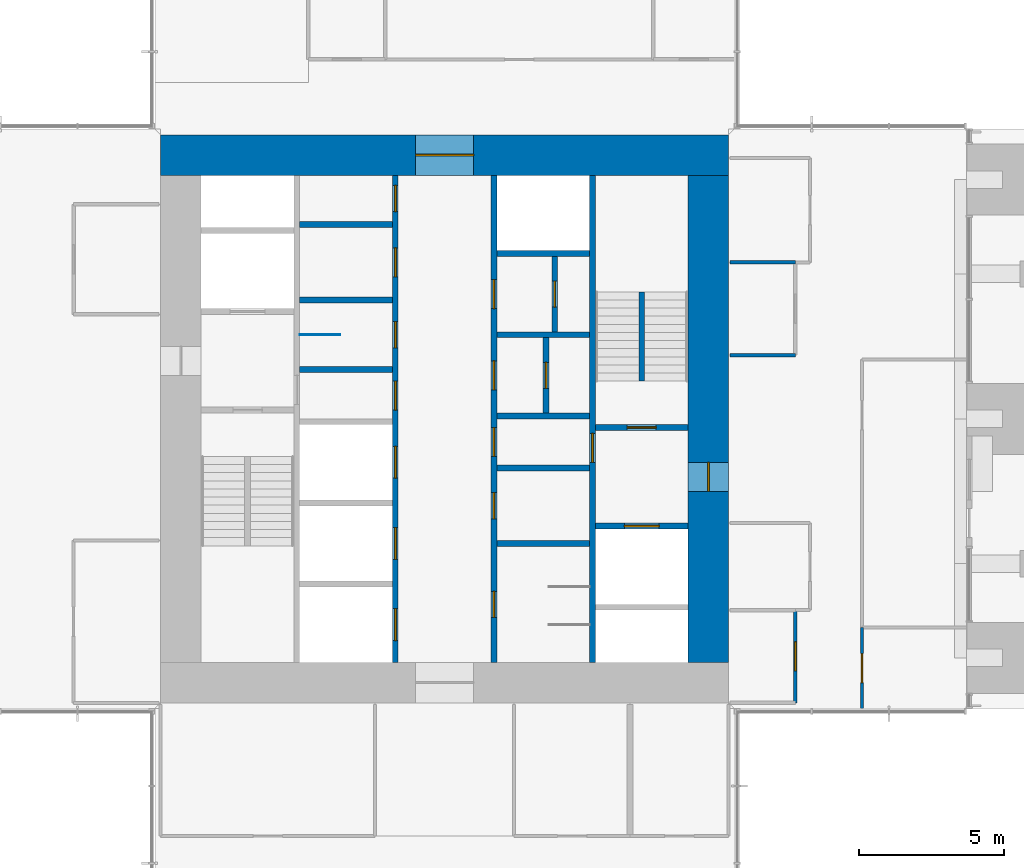
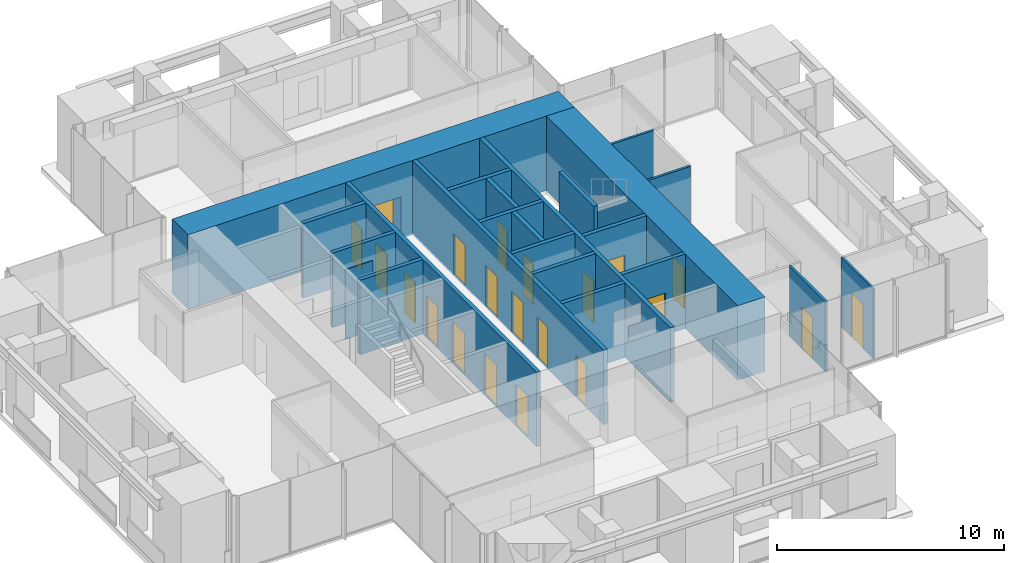
# One storey, part 13 of 17: 23 walls, 21 doors, 21 openings.
"""IFC4 building model written with IfcOpenShell, lengths in metres."""

import ifcopenshell
import ifcopenshell.guid

model = None  # the IFC model being written
_history = None  # IfcOwnerHistory: only IFC2X3 demands one
_inside = {}  # id of a spatial element -> (the spatial element, [elements in it])
_under = {}  # id of a project, library or spatial element -> (it, [spatial elements below it])
_declared = {}  # id of a project -> (the project, [libraries it declares])
_typed = {}  # id of a type object -> (the type object, [elements of that type])
_made_of = {}  # id of a material, layer set ... -> (it, [elements and type objects made of it])


def new_model(schema):
    """Start an empty IFC model of exactly this schema.

    Asked for "IFC4X3", IfcOpenShell would pick the latest addendum, in which some entities
    have other attributes; the version numbers below select the first issue.
    IFC2X3 requires an IfcOwnerHistory on every rooted entity: one is made here for all.
    """
    global model, _history
    if schema == "IFC4X3":
        model = ifcopenshell.file(schema_version=(4, 3, 0, 0))
    else:
        model = ifcopenshell.file(schema=schema)
    _inside.clear()
    _under.clear()
    _declared.clear()
    _typed.clear()
    _made_of.clear()
    _history = None
    if model.schema == "IFC2X3":
        org = make("IfcOrganization", Name="unknown")
        user = make(
            "IfcPersonAndOrganization",
            ThePerson=make("IfcPerson", FamilyName="unknown"),
            TheOrganization=org,
        )
        app = make(
            "IfcApplication",
            ApplicationDeveloper=org,
            Version="unknown",
            ApplicationFullName="unknown",
            ApplicationIdentifier="unknown",
        )
        _history = make(
            "IfcOwnerHistory",
            OwningUser=user,
            OwningApplication=app,
            ChangeAction="ADDED",
            CreationDate=0,
        )
    return model


def make(cls, **values):
    """One entity of the class cls with the attributes given. An attribute that is None is left unset."""
    return model.create_entity(
        cls, **{name: value for name, value in values.items() if value is not None}
    )


def rooted(cls, **values):
    """An entity with a GlobalId (a new one), such as an element, a storey or a relation."""
    return make(cls, GlobalId=ifcopenshell.guid.new(), OwnerHistory=_history, **values)


def si_unit(unit_type, name, prefix=None):
    """IfcSIUnit, for example si_unit("LENGTHUNIT", "METRE", prefix="MILLI")."""
    return make("IfcSIUnit", UnitType=unit_type, Prefix=prefix, Name=name)


def assignment(units):
    """IfcUnitAssignment: the units of a project."""
    return None if units is None else make("IfcUnitAssignment", Units=units)


def point(xyz):
    """IfcCartesianPoint."""
    return None if xyz is None else make("IfcCartesianPoint", Coordinates=xyz)


def direction(xyz):
    """IfcDirection."""
    return None if xyz is None else make("IfcDirection", DirectionRatios=xyz)


def frame(location, z_axis=None, x_axis=None):
    """IfcAxis2Placement3D, a coordinate frame: its origin and axes. An axis left out is left unset."""
    return make(
        "IfcAxis2Placement3D",
        Location=point(location),
        Axis=direction(z_axis),
        RefDirection=direction(x_axis),
    )


def frame_2d(location, x_axis=None):
    """IfcAxis2Placement2D, a coordinate frame in the plane: its origin and x axis."""
    return make(
        "IfcAxis2Placement2D", Location=point(location), RefDirection=direction(x_axis)
    )


def origin():
    """The frame at (0, 0, 0) with its axes left unset."""
    return frame((0.0, 0.0, 0.0))


def place(relative_to, where):
    """IfcLocalPlacement: puts the frame where relative to a parent placement (None: the world)."""
    return make(
        "IfcLocalPlacement", PlacementRelTo=relative_to, RelativePlacement=where
    )


def context(
    kind, dimensions, precision=None, world=None, true_north=None, identifier=None
):
    """IfcGeometricRepresentationContext, for example the 3D "Model" context."""
    return make(
        "IfcGeometricRepresentationContext",
        ContextIdentifier=identifier,
        ContextType=kind,
        CoordinateSpaceDimension=dimensions,
        Precision=precision,
        WorldCoordinateSystem=world,
        TrueNorth=true_north,
    )


def subcontext(parent, identifier, kind, view, scale=None):
    """IfcGeometricRepresentationSubContext, for example "Body" below "Model"."""
    return make(
        "IfcGeometricRepresentationSubContext",
        ContextIdentifier=identifier,
        ContextType=kind,
        ParentContext=parent,
        TargetScale=scale,
        TargetView=view,
    )


def project(units=None, contexts=None):
    """IfcProject with its units and contexts."""
    return rooted(
        "IfcProject",
        Name="project",
        RepresentationContexts=contexts,
        UnitsInContext=assignment(units),
    )


def spatial(cls, under=None, at=None, **own):
    """A site, building, storey or space (cls), placed at a placement, below another one or the project."""
    s = rooted(cls, ObjectPlacement=at, **own)
    if under is not None:
        _under.setdefault(under.id(), (under, []))[1].append(s)
    return s


def profile(cls, at=None, kind="AREA", **sizes):
    """A parametric profile (cls). Its sizes go by their IFC names, for example OverallWidth=200.0."""
    return make(cls, ProfileType=kind, Position=at, **sizes)


def rectangle(**sizes):
    """IfcRectangleProfileDef."""
    return profile("IfcRectangleProfileDef", **sizes)


def extrude(swept, where, along, depth):
    """IfcExtrudedAreaSolid: the profile swept, set in the frame where, extruded along a direction by depth."""
    return make(
        "IfcExtrudedAreaSolid",
        SweptArea=swept,
        Position=where,
        ExtrudedDirection=direction(along),
        Depth=depth,
    )


def shape(context_of_items, identifier, shape_type, items):
    """IfcShapeRepresentation: the items that make up one representation, for example the "Body"."""
    return make(
        "IfcShapeRepresentation",
        ContextOfItems=context_of_items,
        RepresentationIdentifier=identifier,
        RepresentationType=shape_type,
        Items=items,
    )


def material(Name=None, Category=None):
    """IfcMaterial."""
    return make("IfcMaterial", Name=Name, Category=Category)


def layer(
    of_material, thickness, ventilated=None, Name=None, Category=None, Priority=None
):
    """IfcMaterialLayer: one layer of a wall or slab, of a material (None: an air gap)."""
    return make(
        "IfcMaterialLayer",
        Material=of_material,
        LayerThickness=thickness,
        IsVentilated=ventilated,
        Name=Name,
        Category=Category,
        Priority=Priority,
    )


def layer_set(layers, Name=None):
    """IfcMaterialLayerSet."""
    return make("IfcMaterialLayerSet", MaterialLayers=layers, LayerSetName=Name)


def made_of(thing, what):
    """Note that an element or type object is made of a material, layer set ...; save() writes the relation."""
    if what is not None:
        _made_of.setdefault(what.id(), (what, []))[1].append(thing)
    return thing


def type_object(cls, material=None, **own):
    """A type object (cls), such as IfcWallType, which elements share."""
    return made_of(rooted(cls, **own), material)


def element(
    cls,
    number,
    at=None,
    inside=None,
    cuts=None,
    type_object=None,
    material=None,
    context=None,
    identifier="Body",
    shape_type=None,
    held_by="IfcProductDefinitionShape",
    body=None,
    shapes=None,
    **own,
):
    """One element of the class cls, such as IfcWall. Its Tag is "e" and its number.

    at: its placement. inside: the storey or other place that contains it. cuts: it is an
    opening in that element (IfcRelVoidsElement). A single representation is given by context,
    identifier, shape_type and body (its items); several are given by shapes. held_by: the class
    of the entity that holds the representations. save() writes the other relations.
    """
    e = rooted(cls, Tag="e%d" % number, ObjectPlacement=at, **own)
    if body is not None:
        shapes = [shape(context, identifier, shape_type, body)]
    if shapes is not None:
        e.Representation = make(held_by, Representations=shapes)
    if inside is not None:
        _inside.setdefault(inside.id(), (inside, []))[1].append(e)
    if cuts is not None:
        rooted(
            "IfcRelVoidsElement", RelatingBuildingElement=cuts, RelatedOpeningElement=e
        )
    if type_object is not None:
        _typed.setdefault(type_object.id(), (type_object, []))[1].append(e)
    return made_of(e, material)


def fill(opening, filler):
    """IfcRelFillsElement: the door or window that sits in an opening."""
    return rooted(
        "IfcRelFillsElement",
        RelatingOpeningElement=opening,
        RelatedBuildingElement=filler,
    )


def aggregate(whole, parts):
    """IfcRelAggregates: a whole, such as a stair, and the parts it consists of."""
    return rooted("IfcRelAggregates", RelatingObject=whole, RelatedObjects=parts)


def save(model, path):
    """Write the relations noted so far, then the file.

    IfcRelAggregates (storeys below a building ...), IfcRelContainedInSpatialStructure (elements
    in a storey), IfcRelDefinesByType, IfcRelAssociatesMaterial and IfcRelDeclares: one each for
    every whole, place, type object, material and project.
    """
    for whole, parts in _under.values():
        aggregate(whole, parts)
    for where, things in _inside.values():
        rooted(
            "IfcRelContainedInSpatialStructure",
            RelatedElements=things,
            RelatingStructure=where,
        )
    for kind, things in _typed.values():
        rooted("IfcRelDefinesByType", RelatedObjects=things, RelatingType=kind)
    for what, things in _made_of.values():
        rooted("IfcRelAssociatesMaterial", RelatedObjects=things, RelatingMaterial=what)
    for by, libraries in _declared.values():
        rooted("IfcRelDeclares", RelatingContext=by, RelatedDefinitions=libraries)
    model.write(path)


model = new_model("IFC4")

# Units and contexts
model_context = context("Model", 3, precision=1e-05, world=origin(), true_north=direction((0.0, 1.0)))
body_context = subcontext(model_context, "Body", "Model", "MODEL_VIEW")
ifc_project = project(units=[si_unit("LENGTHUNIT", "METRE"), si_unit("AREAUNIT", "SQUARE_METRE"), si_unit("VOLUMEUNIT", "CUBIC_METRE"), si_unit("PLANEANGLEUNIT", "RADIAN"), si_unit("MASSUNIT", "GRAM", prefix="KILO")], contexts=[model_context])

# Site, building, storey
site_placement = place(None, origin())
site = spatial("IfcSite", under=ifc_project, at=site_placement, CompositionType="ELEMENT")
building_placement = place(site_placement, origin())
building = spatial("IfcBuilding", under=site, at=building_placement, Name="Svetlomir Tower", CompositionType="ELEMENT")
storey_placement = place(building_placement, frame((0.0, 0.0, 226.5)))
storey = spatial("IfcBuildingStorey", under=building, at=storey_placement, Name="L54", CompositionType="ELEMENT", Elevation=226.5)

# Wall, openings, doors
ifc_material_1 = material(Name="Concrete C60/75", Category="concrete")
ifc_layer_1 = layer(ifc_material_1, 0.199951171875)
ifc_layer_set_1 = layer_set([ifc_layer_1], Name="Concrete C60/75")
wall_type_1 = type_object("IfcWallType", Name="CORE INNER WALL 200", PredefinedType="SHEAR", material=ifc_layer_set_1)
wall_1_placement = place(storey_placement, frame((19.300048828125, 12.60009765625, -0.050048828125), z_axis=(0.0, 0.0, 1.0), x_axis=(0.0, 1.0, 0.0)))
wall_1 = element("IfcWall", 1, at=wall_1_placement, inside=storey, type_object=wall_type_1, Name="Core inner wall 19.3 L54", PredefinedType="SHEAR", context=body_context, shape_type="SweptSolid", body=[
    extrude(rectangle(XDim=16.7998046875, YDim=0.199951171875, at=frame_2d((8.39990234375, 0.0))), origin(), (0.0, 0.0, 1.0), 4.0),
])
opening_1_placement = place(wall_1_placement, frame((8.699951171875, 0.0, 0.050048828125)))
opening_1 = element("IfcOpeningElement", 2, at=opening_1_placement, cuts=wall_1, Name="Opening DC", PredefinedType="OPENING", context=body_context, shape_type="SweptSolid", body=[
    extrude(rectangle(XDim=1.0, YDim=2.199951171875, at=frame_2d((0.5, 1.10009765625))), frame((0.0, 0.10986328125, 0.0), z_axis=(0.0, -1.0, 0.0), x_axis=(1.0, 0.0, 0.0)), (0.0, 0.0, 1.0), 0.219970703125),
])
opening_2_placement = place(wall_1_placement, frame((10.85009765625, 0.0, 0.050048828125)))
opening_2 = element("IfcOpeningElement", 3, at=opening_2_placement, cuts=wall_1, Name="Opening DW", PredefinedType="OPENING", context=body_context, shape_type="SweptSolid", body=[
    extrude(rectangle(XDim=0.89990234375, YDim=2.199951171875, at=frame_2d((0.449951171875, 1.10009765625))), frame((0.0, 0.10986328125, 0.0), z_axis=(0.0, -1.0, 0.0), x_axis=(1.0, 0.0, 0.0)), (0.0, 0.0, 1.0), 0.219970703125),
])
opening_3_placement = place(wall_1_placement, frame((13.300048828125, 0.0, 0.050048828125)))
opening_3 = element("IfcOpeningElement", 4, at=opening_3_placement, cuts=wall_1, Name="Opening DC", PredefinedType="OPENING", context=body_context, shape_type="SweptSolid", body=[
    extrude(rectangle(XDim=1.0, YDim=2.199951171875, at=frame_2d((0.5, 1.10009765625))), frame((0.0, 0.10986328125, 0.0), z_axis=(0.0, -1.0, 0.0), x_axis=(1.0, 0.0, 0.0)), (0.0, 0.0, 1.0), 0.219970703125),
])
opening_4_placement = place(wall_1_placement, frame((15.550048828125, 0.0, 0.050048828125)))
opening_4 = element("IfcOpeningElement", 5, at=opening_4_placement, cuts=wall_1, Name="Opening DW", PredefinedType="OPENING", context=body_context, shape_type="SweptSolid", body=[
    extrude(rectangle(XDim=0.89990234375, YDim=2.199951171875, at=frame_2d((0.449951171875, 1.10009765625))), frame((0.0, 0.10986328125, 0.0), z_axis=(0.0, -1.0, 0.0), x_axis=(1.0, 0.0, 0.0)), (0.0, 0.0, 1.0), 0.219970703125),
])
opening_5_placement = place(wall_1_placement, frame((0.75, 0.0, 0.050048828125)))
opening_5 = element("IfcOpeningElement", 6, at=opening_5_placement, cuts=wall_1, Name="Opening LD", PredefinedType="OPENING", context=body_context, shape_type="SweptSolid", body=[
    extrude(rectangle(XDim=1.10009765625, YDim=2.199951171875, at=frame_2d((0.550048828125, 1.10009765625))), frame((0.0, 0.10986328125, 0.0), z_axis=(0.0, -1.0, 0.0), x_axis=(1.0, 0.0, 0.0)), (0.0, 0.0, 1.0), 0.219970703125),
])
opening_6_placement = place(wall_1_placement, frame((3.550048828125, 0.0, 0.050048828125)))
opening_6 = element("IfcOpeningElement", 7, at=opening_6_placement, cuts=wall_1, Name="Opening LD", PredefinedType="OPENING", context=body_context, shape_type="SweptSolid", body=[
    extrude(rectangle(XDim=1.10009765625, YDim=2.199951171875, at=frame_2d((0.550048828125, 1.10009765625))), frame((0.0, 0.10986328125, 0.0), z_axis=(0.0, -1.0, 0.0), x_axis=(1.0, 0.0, 0.0)), (0.0, 0.0, 1.0), 0.219970703125),
])
opening_7_placement = place(wall_1_placement, frame((6.35009765625, 0.0, 0.050048828125)))
opening_7 = element("IfcOpeningElement", 8, at=opening_7_placement, cuts=wall_1, Name="Opening LD", PredefinedType="OPENING", context=body_context, shape_type="SweptSolid", body=[
    extrude(rectangle(XDim=1.10009765625, YDim=2.199951171875, at=frame_2d((0.550048828125, 1.10009765625))), frame((0.0, 0.10986328125, 0.0), z_axis=(0.0, -1.0, 0.0), x_axis=(1.0, 0.0, 0.0)), (0.0, 0.0, 1.0), 0.219970703125),
])
ifc_material_2 = material(Name="Timber fire door", Category="wood")
door_type_1 = type_object("IfcDoorType", Name="DOOR DC 1000x2200", OperationType="SINGLE_SWING_LEFT", PredefinedType="DOOR", material=ifc_material_2)
door_1_placement = place(opening_1_placement, origin())
door_1 = element("IfcDoor", 9, at=door_1_placement, inside=storey, type_object=door_type_1, Name="Core corridor west lobby door L54", OperationType="SINGLE_SWING_LEFT", OverallHeight=2.199951171875, OverallWidth=1.0, PredefinedType="DOOR", context=body_context, shape_type="SweptSolid", body=[
    extrude(rectangle(XDim=1.0, YDim=2.199951171875, at=frame_2d((0.5, 1.10009765625))), frame((0.0, 0.02490234375, 0.0), z_axis=(0.0, -1.0, 0.0), x_axis=(1.0, 0.0, 0.0)), (0.0, 0.0, 1.0), 0.050048828125),
])
fill(opening_1, door_1)
door_2_placement = place(opening_3_placement, origin())
door_2 = element("IfcDoor", 10, at=door_2_placement, inside=storey, type_object=door_type_1, Name="Accessible WC door L54", OperationType="SINGLE_SWING_RIGHT", OverallHeight=2.199951171875, OverallWidth=1.0, PredefinedType="DOOR", context=body_context, shape_type="SweptSolid", body=[
    extrude(rectangle(XDim=1.0, YDim=2.199951171875, at=frame_2d((0.5, 1.10009765625))), frame((0.0, 0.02490234375, 0.0), z_axis=(0.0, -1.0, 0.0), x_axis=(1.0, 0.0, 0.0)), (0.0, 0.0, 1.0), 0.050048828125),
])
fill(opening_3, door_2)
ifc_material_3 = material(Name="Timber fire door", Category="wood")
door_type_2 = type_object("IfcDoorType", Name="DOOR DW 900x2200", OperationType="SINGLE_SWING_LEFT", PredefinedType="DOOR", material=ifc_material_3)
door_3_placement = place(opening_2_placement, origin())
door_3 = element("IfcDoor", 11, at=door_3_placement, inside=storey, type_object=door_type_2, Name="Female WC door L54", OperationType="SINGLE_SWING_LEFT", OverallHeight=2.199951171875, OverallWidth=0.89990234375, PredefinedType="DOOR", context=body_context, shape_type="SweptSolid", body=[
    extrude(rectangle(XDim=0.89990234375, YDim=2.199951171875, at=frame_2d((0.449951171875, 1.10009765625))), frame((0.0, 0.02490234375, 0.0), z_axis=(0.0, -1.0, 0.0), x_axis=(1.0, 0.0, 0.0)), (0.0, 0.0, 1.0), 0.050048828125),
])
fill(opening_2, door_3)
door_4_placement = place(opening_4_placement, origin())
door_4 = element("IfcDoor", 12, at=door_4_placement, inside=storey, type_object=door_type_2, Name="First aid room door L54", OperationType="SINGLE_SWING_LEFT", OverallHeight=2.199951171875, OverallWidth=0.89990234375, PredefinedType="DOOR", context=body_context, shape_type="SweptSolid", body=[
    extrude(rectangle(XDim=0.89990234375, YDim=2.199951171875, at=frame_2d((0.449951171875, 1.10009765625))), frame((0.0, 0.02490234375, 0.0), z_axis=(0.0, -1.0, 0.0), x_axis=(1.0, 0.0, 0.0)), (0.0, 0.0, 1.0), 0.050048828125),
])
fill(opening_4, door_4)
ifc_material_4 = material(Name="Stainless steel landing door", Category="steel")
door_type_3 = type_object("IfcDoorType", Name="LIFT LANDING DOOR LD 1100x2200", OperationType="DOUBLE_DOOR_SLIDING", PredefinedType="DOOR", material=ifc_material_4)
door_5_placement = place(opening_5_placement, origin())
door_5 = element("IfcDoor", 13, at=door_5_placement, inside=storey, type_object=door_type_3, Name="Landing door lift LC1 L54", OperationType="DOUBLE_DOOR_SLIDING", OverallHeight=2.199951171875, OverallWidth=1.10009765625, PredefinedType="DOOR", context=body_context, shape_type="SweptSolid", body=[
    extrude(rectangle(XDim=1.10009765625, YDim=2.199951171875, at=frame_2d((0.550048828125, 1.10009765625))), frame((0.0, 0.02490234375, 0.0), z_axis=(0.0, -1.0, 0.0), x_axis=(1.0, 0.0, 0.0)), (0.0, 0.0, 1.0), 0.050048828125),
])
fill(opening_5, door_5)
door_6_placement = place(opening_6_placement, origin())
door_6 = element("IfcDoor", 14, at=door_6_placement, inside=storey, type_object=door_type_3, Name="Landing door lift LC2 L54", OperationType="DOUBLE_DOOR_SLIDING", OverallHeight=2.199951171875, OverallWidth=1.10009765625, PredefinedType="DOOR", context=body_context, shape_type="SweptSolid", body=[
    extrude(rectangle(XDim=1.10009765625, YDim=2.199951171875, at=frame_2d((0.550048828125, 1.10009765625))), frame((0.0, 0.02490234375, 0.0), z_axis=(0.0, -1.0, 0.0), x_axis=(1.0, 0.0, 0.0)), (0.0, 0.0, 1.0), 0.050048828125),
])
fill(opening_6, door_6)
door_7_placement = place(opening_7_placement, origin())
door_7 = element("IfcDoor", 15, at=door_7_placement, inside=storey, type_object=door_type_3, Name="Landing door lift LC3 L54", OperationType="DOUBLE_DOOR_SLIDING", OverallHeight=2.199951171875, OverallWidth=1.10009765625, PredefinedType="DOOR", context=body_context, shape_type="SweptSolid", body=[
    extrude(rectangle(XDim=1.10009765625, YDim=2.199951171875, at=frame_2d((0.550048828125, 1.10009765625))), frame((0.0, 0.02490234375, 0.0), z_axis=(0.0, -1.0, 0.0), x_axis=(1.0, 0.0, 0.0)), (0.0, 0.0, 1.0), 0.050048828125),
])
fill(opening_7, door_7)

wall_2_placement = place(storey_placement, frame((22.699951171875, 12.60009765625, -0.050048828125), z_axis=(0.0, 0.0, 1.0), x_axis=(0.0, 1.0, 0.0)))
wall_2 = element("IfcWall", 16, at=wall_2_placement, inside=storey, type_object=wall_type_1, Name="Core inner wall 22.7 L54", PredefinedType="SHEAR", context=body_context, shape_type="SweptSolid", body=[
    extrude(rectangle(XDim=16.7998046875, YDim=0.199951171875, at=frame_2d((8.39990234375, 0.0))), origin(), (0.0, 0.0, 1.0), 4.0),
])
opening_8_placement = place(wall_2_placement, frame((7.10009765625, 0.0, 0.050048828125)))
opening_8 = element("IfcOpeningElement", 17, at=opening_8_placement, cuts=wall_2, Name="Opening DC", PredefinedType="OPENING", context=body_context, shape_type="SweptSolid", body=[
    extrude(rectangle(XDim=1.0, YDim=2.199951171875, at=frame_2d((0.5, 1.10009765625))), frame((0.0, 0.10986328125, 0.0), z_axis=(0.0, -1.0, 0.0), x_axis=(1.0, 0.0, 0.0)), (0.0, 0.0, 1.0), 0.219970703125),
])
opening_9_placement = place(wall_2_placement, frame((1.550048828125, 0.0, 0.050048828125)))
opening_9 = element("IfcOpeningElement", 18, at=opening_9_placement, cuts=wall_2, Name="Opening DW", PredefinedType="OPENING", context=body_context, shape_type="SweptSolid", body=[
    extrude(rectangle(XDim=0.89990234375, YDim=2.199951171875, at=frame_2d((0.449951171875, 1.10009765625))), frame((0.0, 0.10986328125, 0.0), z_axis=(0.0, -1.0, 0.0), x_axis=(1.0, 0.0, 0.0)), (0.0, 0.0, 1.0), 0.219970703125),
])
opening_10_placement = place(wall_2_placement, frame((4.949951171875, 0.0, 0.050048828125)))
opening_10 = element("IfcOpeningElement", 19, at=opening_10_placement, cuts=wall_2, Name="Opening DW", PredefinedType="OPENING", context=body_context, shape_type="SweptSolid", body=[
    extrude(rectangle(XDim=0.89990234375, YDim=2.199951171875, at=frame_2d((0.449951171875, 1.10009765625))), frame((0.0, 0.10986328125, 0.0), z_axis=(0.0, -1.0, 0.0), x_axis=(1.0, 0.0, 0.0)), (0.0, 0.0, 1.0), 0.219970703125),
])
opening_11_placement = place(wall_2_placement, frame((9.39990234375, 0.0, 0.050048828125)))
opening_11 = element("IfcOpeningElement", 20, at=opening_11_placement, cuts=wall_2, Name="Opening DC", PredefinedType="OPENING", context=body_context, shape_type="SweptSolid", body=[
    extrude(rectangle(XDim=1.0, YDim=2.199951171875, at=frame_2d((0.5, 1.10009765625))), frame((0.0, 0.10986328125, 0.0), z_axis=(0.0, -1.0, 0.0), x_axis=(1.0, 0.0, 0.0)), (0.0, 0.0, 1.0), 0.219970703125),
])
opening_12_placement = place(wall_2_placement, frame((12.199951171875, 0.0, 0.050048828125)))
opening_12 = element("IfcOpeningElement", 21, at=opening_12_placement, cuts=wall_2, Name="Opening DC", PredefinedType="OPENING", context=body_context, shape_type="SweptSolid", body=[
    extrude(rectangle(XDim=1.0, YDim=2.199951171875, at=frame_2d((0.5, 1.10009765625))), frame((0.0, 0.10986328125, 0.0), z_axis=(0.0, -1.0, 0.0), x_axis=(1.0, 0.0, 0.0)), (0.0, 0.0, 1.0), 0.219970703125),
])
door_8_placement = place(opening_8_placement, origin())
door_8 = element("IfcDoor", 22, at=door_8_placement, inside=storey, type_object=door_type_1, Name="Core corridor east lobby door L54", OperationType="SINGLE_SWING_RIGHT", OverallHeight=2.199951171875, OverallWidth=1.0, PredefinedType="DOOR", context=body_context, shape_type="SweptSolid", body=[
    extrude(rectangle(XDim=1.0, YDim=2.199951171875, at=frame_2d((0.5, 1.10009765625))), frame((0.0, 0.02490234375, 0.0), z_axis=(0.0, -1.0, 0.0), x_axis=(1.0, 0.0, 0.0)), (0.0, 0.0, 1.0), 0.050048828125),
])
fill(opening_8, door_8)
door_9_placement = place(opening_11_placement, origin())
door_9 = element("IfcDoor", 23, at=door_9_placement, inside=storey, type_object=door_type_1, Name="Converted shaft BANK-E1 room door L54", OperationType="SINGLE_SWING_RIGHT", OverallHeight=2.199951171875, OverallWidth=1.0, PredefinedType="DOOR", context=body_context, shape_type="SweptSolid", body=[
    extrude(rectangle(XDim=1.0, YDim=2.199951171875, at=frame_2d((0.5, 1.10009765625))), frame((0.0, 0.02490234375, 0.0), z_axis=(0.0, -1.0, 0.0), x_axis=(1.0, 0.0, 0.0)), (0.0, 0.0, 1.0), 0.050048828125),
])
fill(opening_11, door_9)
door_10_placement = place(opening_12_placement, origin())
door_10 = element("IfcDoor", 24, at=door_10_placement, inside=storey, type_object=door_type_1, Name="Converted shaft BANK-E2 room door L54", OperationType="SINGLE_SWING_RIGHT", OverallHeight=2.199951171875, OverallWidth=1.0, PredefinedType="DOOR", context=body_context, shape_type="SweptSolid", body=[
    extrude(rectangle(XDim=1.0, YDim=2.199951171875, at=frame_2d((0.5, 1.10009765625))), frame((0.0, 0.02490234375, 0.0), z_axis=(0.0, -1.0, 0.0), x_axis=(1.0, 0.0, 0.0)), (0.0, 0.0, 1.0), 0.050048828125),
])
fill(opening_12, door_10)
door_11_placement = place(opening_9_placement, origin())
door_11 = element("IfcDoor", 25, at=door_11_placement, inside=storey, type_object=door_type_2, Name="Male WC door L54", OperationType="SINGLE_SWING_RIGHT", OverallHeight=2.199951171875, OverallWidth=0.89990234375, PredefinedType="DOOR", context=body_context, shape_type="SweptSolid", body=[
    extrude(rectangle(XDim=0.89990234375, YDim=2.199951171875, at=frame_2d((0.449951171875, 1.10009765625))), frame((0.0, 0.02490234375, 0.0), z_axis=(0.0, -1.0, 0.0), x_axis=(1.0, 0.0, 0.0)), (0.0, 0.0, 1.0), 0.050048828125),
])
fill(opening_9, door_11)
door_12_placement = place(opening_10_placement, origin())
door_12 = element("IfcDoor", 26, at=door_12_placement, inside=storey, type_object=door_type_2, Name="Comms room door L54", OperationType="SINGLE_SWING_LEFT", OverallHeight=2.199951171875, OverallWidth=0.89990234375, PredefinedType="DOOR", context=body_context, shape_type="SweptSolid", body=[
    extrude(rectangle(XDim=0.89990234375, YDim=2.199951171875, at=frame_2d((0.449951171875, 1.10009765625))), frame((0.0, 0.02490234375, 0.0), z_axis=(0.0, -1.0, 0.0), x_axis=(1.0, 0.0, 0.0)), (0.0, 0.0, 1.0), 0.050048828125),
])
fill(opening_10, door_12)

# Wall, opening, door
wall_3_placement = place(storey_placement, frame((26.10009765625, 12.60009765625, -0.050048828125), z_axis=(0.0, 0.0, 1.0), x_axis=(0.0, 1.0, 0.0)))
wall_3 = element("IfcWall", 27, at=wall_3_placement, inside=storey, type_object=wall_type_1, Name="Core inner wall 26.1 L54", PredefinedType="SHEAR", context=body_context, shape_type="SweptSolid", body=[
    extrude(rectangle(XDim=16.7998046875, YDim=0.199951171875, at=frame_2d((8.39990234375, 0.0))), origin(), (0.0, 0.0, 1.0), 4.0),
])
opening_13_placement = place(wall_3_placement, frame((6.89990234375, 0.0, 0.050048828125)))
opening_13 = element("IfcOpeningElement", 28, at=opening_13_placement, cuts=wall_3, Name="Opening DF", PredefinedType="OPENING", context=body_context, shape_type="SweptSolid", body=[
    extrude(rectangle(XDim=1.0, YDim=2.199951171875, at=frame_2d((0.5, 1.10009765625))), frame((0.0, 0.10986328125, 0.0), z_axis=(0.0, -1.0, 0.0), x_axis=(1.0, 0.0, 0.0)), (0.0, 0.0, 1.0), 0.219970703125),
])
ifc_material_5 = material(Name="Steel fire door", Category="steel")
door_type_4 = type_object("IfcDoorType", Name="DOOR DF 1000x2200", OperationType="SINGLE_SWING_LEFT", PredefinedType="DOOR", material=ifc_material_5)
door_13_placement = place(opening_13_placement, origin())
door_13 = element("IfcDoor", 29, at=door_13_placement, inside=storey, type_object=door_type_4, Name="Core corridor east door L54", OperationType="SINGLE_SWING_LEFT", OverallHeight=2.199951171875, OverallWidth=1.0, PredefinedType="DOOR", context=body_context, shape_type="SweptSolid", body=[
    extrude(rectangle(XDim=1.0, YDim=2.199951171875, at=frame_2d((0.5, 1.10009765625))), frame((0.0, 0.02490234375, 0.0), z_axis=(0.0, -1.0, 0.0), x_axis=(1.0, 0.0, 0.0)), (0.0, 0.0, 1.0), 0.050048828125),
])
fill(opening_13, door_13)

# Walls
for number, where, z_axis, x_axis, name in (
    (30, (16.0, 22.699951171875, -0.050048828125), (0.0, 0.0, 1.0), (1.0, 0.0, 0.0), "Core inner wall 16-19.2/22.7 L54"),
    (31, (16.0, 25.10009765625, -0.050048828125), (0.0, 0.0, 1.0), (1.0, 0.0, 0.0), "Core inner wall 16-19.2/25.1 L54"),
    (32, (16.0, 27.699951171875, -0.050048828125), (0.0, 0.0, 1.0), (1.0, 0.0, 0.0), "Core inner wall 16-19.2/27.7 L54"),
    (33, (22.800048828125, 16.699951171875, -0.050048828125), (0.0, 0.0, 1.0), (1.0, 0.0, 0.0), "Core inner wall 22.8-26/16.7 L54"),
    (34, (22.800048828125, 19.300048828125, -0.050048828125), (0.0, 0.0, 1.0), (1.0, 0.0, 0.0), "Core inner wall 22.8-26/19.3 L54"),
    (35, (22.800048828125, 21.10009765625, -0.050048828125), (0.0, 0.0, 1.0), (1.0, 0.0, 0.0), "Core inner wall 22.8-26/21.1 L54"),
    (36, (22.800048828125, 23.89990234375, -0.050048828125), (0.0, 0.0, 1.0), (1.0, 0.0, 0.0), "Core inner wall 22.8-26/23.9 L54"),
    (37, (22.800048828125, 26.699951171875, -0.050048828125), (0.0, 0.0, 1.0), (1.0, 0.0, 0.0), "Core inner wall 22.8-26/26.7 L54"),
):
    element("IfcWall", number, at=place(storey_placement, frame(where, z_axis=z_axis, x_axis=x_axis)), inside=storey, type_object=wall_type_1, Name=name, PredefinedType="SHEAR", context=body_context, shape_type="SweptSolid", body=[
        extrude(rectangle(XDim=3.199951171875, YDim=0.199951171875, at=frame_2d((1.60009765625, 0.0))), origin(), (0.0, 0.0, 1.0), 4.0),
    ])

# Wall, opening, door
wall_4_placement = place(storey_placement, frame((26.199951171875, 17.300048828125, -0.050048828125), z_axis=(0.0, 0.0, 1.0), x_axis=(1.0, 0.0, 0.0)))
wall_4 = element("IfcWall", 38, at=wall_4_placement, inside=storey, type_object=wall_type_1, Name="Core inner wall 26.2-29.4/17.3 L54", PredefinedType="SHEAR", context=body_context, shape_type="SweptSolid", body=[
    extrude(rectangle(XDim=3.199951171875, YDim=0.199951171875, at=frame_2d((1.60009765625, 0.0))), origin(), (0.0, 0.0, 1.0), 4.0),
])
opening_14_placement = place(wall_4_placement, frame((1.0, 0.0, 0.050048828125)))
opening_14 = element("IfcOpeningElement", 39, at=opening_14_placement, cuts=wall_4, Name="Opening LD3", PredefinedType="OPENING", context=body_context, shape_type="SweptSolid", body=[
    extrude(rectangle(XDim=1.199951171875, YDim=2.199951171875, at=frame_2d((0.60009765625, 1.10009765625))), frame((0.0, 0.10986328125, 0.0), z_axis=(0.0, -1.0, 0.0), x_axis=(1.0, 0.0, 0.0)), (0.0, 0.0, 1.0), 0.219970703125),
])
ifc_material_6 = material(Name="Stainless steel fire-rated landing door", Category="steel")
door_type_5 = type_object("IfcDoorType", Name="FIREFIGHTING LIFT LANDING DOOR LD3 1200x2200", OperationType="DOUBLE_DOOR_SLIDING", PredefinedType="DOOR", material=ifc_material_6)
door_14_placement = place(opening_14_placement, origin())
door_14 = element("IfcDoor", 40, at=door_14_placement, inside=storey, type_object=door_type_5, Name="Landing door lift FL2 L54", OperationType="DOUBLE_DOOR_SLIDING", OverallHeight=2.199951171875, OverallWidth=1.199951171875, PredefinedType="DOOR", context=body_context, shape_type="SweptSolid", body=[
    extrude(rectangle(XDim=1.199951171875, YDim=2.199951171875, at=frame_2d((0.60009765625, 1.10009765625))), frame((0.0, 0.02490234375, 0.0), z_axis=(0.0, -1.0, 0.0), x_axis=(1.0, 0.0, 0.0)), (0.0, 0.0, 1.0), 0.050048828125),
])
fill(opening_14, door_14)

wall_5_placement = place(storey_placement, frame((26.199951171875, 20.699951171875, -0.050048828125), z_axis=(0.0, 0.0, 1.0), x_axis=(1.0, 0.0, 0.0)))
wall_5 = element("IfcWall", 41, at=wall_5_placement, inside=storey, type_object=wall_type_1, Name="Core inner wall 26.2-29.4/20.7 L54", PredefinedType="SHEAR", context=body_context, shape_type="SweptSolid", body=[
    extrude(rectangle(XDim=3.199951171875, YDim=0.199951171875, at=frame_2d((1.60009765625, 0.0))), origin(), (0.0, 0.0, 1.0), 4.0),
])
opening_15_placement = place(wall_5_placement, frame((1.10009765625, 0.0, 0.050048828125)))
opening_15 = element("IfcOpeningElement", 42, at=opening_15_placement, cuts=wall_5, Name="Opening DF", PredefinedType="OPENING", context=body_context, shape_type="SweptSolid", body=[
    extrude(rectangle(XDim=1.0, YDim=2.199951171875, at=frame_2d((0.5, 1.10009765625))), frame((0.0, 0.10986328125, 0.0), z_axis=(0.0, -1.0, 0.0), x_axis=(1.0, 0.0, 0.0)), (0.0, 0.0, 1.0), 0.219970703125),
])
door_15_placement = place(opening_15_placement, origin())
door_15 = element("IfcDoor", 43, at=door_15_placement, inside=storey, type_object=door_type_4, Name="Stair S2 door L54", OperationType="SINGLE_SWING_RIGHT", OverallHeight=2.199951171875, OverallWidth=1.0, PredefinedType="DOOR", context=body_context, shape_type="SweptSolid", body=[
    extrude(rectangle(XDim=1.0, YDim=2.199951171875, at=frame_2d((0.5, 1.10009765625))), frame((0.0, 0.02490234375, 0.0), z_axis=(0.0, -1.0, 0.0), x_axis=(1.0, 0.0, 0.0)), (0.0, 0.0, 1.0), 0.050048828125),
])
fill(opening_15, door_15)

wall_6_placement = place(storey_placement, frame((24.5, 21.199951171875, -0.050048828125), z_axis=(0.0, 0.0, 1.0), x_axis=(0.0, 1.0, 0.0)))
wall_6 = element("IfcWall", 44, at=wall_6_placement, inside=storey, type_object=wall_type_1, Name="Core inner wall 24.5/21.2-23.8 L54", PredefinedType="SHEAR", context=body_context, shape_type="SweptSolid", body=[
    extrude(rectangle(XDim=2.60009765625, YDim=0.199951171875, at=frame_2d((1.300048828125, 0.0))), origin(), (0.0, 0.0, 1.0), 4.0),
])
opening_16_placement = place(wall_6_placement, frame((0.85009765625, 0.0, 0.050048828125)))
opening_16 = element("IfcOpeningElement", 45, at=opening_16_placement, cuts=wall_6, Name="Opening DW", PredefinedType="OPENING", context=body_context, shape_type="SweptSolid", body=[
    extrude(rectangle(XDim=0.89990234375, YDim=2.199951171875, at=frame_2d((0.449951171875, 1.10009765625))), frame((0.0, 0.10986328125, 0.0), z_axis=(0.0, -1.0, 0.0), x_axis=(1.0, 0.0, 0.0)), (0.0, 0.0, 1.0), 0.219970703125),
])
door_16_placement = place(opening_16_placement, origin())
door_16 = element("IfcDoor", 46, at=door_16_placement, inside=storey, type_object=door_type_2, Name="Converted shaft BANK-E1 back room door L54", OperationType="SINGLE_SWING_LEFT", OverallHeight=2.199951171875, OverallWidth=0.89990234375, PredefinedType="DOOR", context=body_context, shape_type="SweptSolid", body=[
    extrude(rectangle(XDim=0.89990234375, YDim=2.199951171875, at=frame_2d((0.449951171875, 1.10009765625))), frame((0.0, 0.02490234375, 0.0), z_axis=(0.0, -1.0, 0.0), x_axis=(1.0, 0.0, 0.0)), (0.0, 0.0, 1.0), 0.050048828125),
])
fill(opening_16, door_16)

wall_7_placement = place(storey_placement, frame((24.800048828125, 24.0, -0.050048828125), z_axis=(0.0, 0.0, 1.0), x_axis=(0.0, 1.0, 0.0)))
wall_7 = element("IfcWall", 47, at=wall_7_placement, inside=storey, type_object=wall_type_1, Name="Core inner wall 24.8/24-26.6 L54", PredefinedType="SHEAR", context=body_context, shape_type="SweptSolid", body=[
    extrude(rectangle(XDim=2.60009765625, YDim=0.199951171875, at=frame_2d((1.300048828125, 0.0))), origin(), (0.0, 0.0, 1.0), 4.0),
])
opening_17_placement = place(wall_7_placement, frame((0.85009765625, 0.0, 0.050048828125)))
opening_17 = element("IfcOpeningElement", 48, at=opening_17_placement, cuts=wall_7, Name="Opening DW", PredefinedType="OPENING", context=body_context, shape_type="SweptSolid", body=[
    extrude(rectangle(XDim=0.89990234375, YDim=2.199951171875, at=frame_2d((0.449951171875, 1.10009765625))), frame((0.0, 0.10986328125, 0.0), z_axis=(0.0, -1.0, 0.0), x_axis=(1.0, 0.0, 0.0)), (0.0, 0.0, 1.0), 0.219970703125),
])
door_17_placement = place(opening_17_placement, origin())
door_17 = element("IfcDoor", 49, at=door_17_placement, inside=storey, type_object=door_type_2, Name="Converted shaft BANK-E2 back room door L54", OperationType="SINGLE_SWING_LEFT", OverallHeight=2.199951171875, OverallWidth=0.89990234375, PredefinedType="DOOR", context=body_context, shape_type="SweptSolid", body=[
    extrude(rectangle(XDim=0.89990234375, YDim=2.199951171875, at=frame_2d((0.449951171875, 1.10009765625))), frame((0.0, 0.02490234375, 0.0), z_axis=(0.0, -1.0, 0.0), x_axis=(1.0, 0.0, 0.0)), (0.0, 0.0, 1.0), 0.050048828125),
])
fill(opening_17, door_17)

ifc_material_7 = material(Name="Concrete C60/75", Category="concrete")
ifc_layer_2 = layer(ifc_material_7, 1.39990234375)
ifc_layer_set_2 = layer_set([ifc_layer_2], Name="Concrete C60/75")
wall_type_2 = type_object("IfcWallType", Name="CORE WALL 1400", PredefinedType="SHEAR", material=ifc_layer_set_2)
wall_8_placement = place(storey_placement, frame((11.199951171875, 30.10009765625, -0.050048828125), z_axis=(0.0, 0.0, 1.0), x_axis=(1.0, 0.0, 0.0)))
wall_8 = element("IfcWall", 50, at=wall_8_placement, inside=storey, type_object=wall_type_2, Name="Core wall north L54", PredefinedType="SHEAR", context=body_context, shape_type="SweptSolid", body=[
    extrude(rectangle(XDim=19.60009765625, YDim=1.39990234375, at=frame_2d((9.800048828125, 0.0))), origin(), (0.0, 0.0, 1.0), 4.0),
])
opening_18_placement = place(wall_8_placement, frame((8.800048828125, 0.0, 0.050048828125)))
opening_18 = element("IfcOpeningElement", 51, at=opening_18_placement, cuts=wall_8, Name="Opening DL", PredefinedType="OPENING", context=body_context, shape_type="SweptSolid", body=[
    extrude(rectangle(XDim=2.0, YDim=2.199951171875, at=frame_2d((1.0, 1.10009765625))), frame((0.0, 0.7099609375, 0.0), z_axis=(0.0, -1.0, 0.0), x_axis=(1.0, 0.0, 0.0)), (0.0, 0.0, 1.0), 1.419921875),
])
ifc_material_8 = material(Name="Steel fire door", Category="steel")
door_type_6 = type_object("IfcDoorType", Name="DOOR DL 2000x2200", OperationType="DOUBLE_DOOR_SINGLE_SWING", PredefinedType="DOOR", material=ifc_material_8)
door_18_placement = place(opening_18_placement, origin())
door_18 = element("IfcDoor", 52, at=door_18_placement, inside=storey, type_object=door_type_6, Name="Lift lobby north door L54", OperationType="DOUBLE_DOOR_SINGLE_SWING", OverallHeight=2.199951171875, OverallWidth=2.0, PredefinedType="DOOR", context=body_context, shape_type="SweptSolid", body=[
    extrude(rectangle(XDim=2.0, YDim=2.199951171875, at=frame_2d((1.0, 1.10009765625))), frame((0.0, 0.02490234375, 0.0), z_axis=(0.0, -1.0, 0.0), x_axis=(1.0, 0.0, 0.0)), (0.0, 0.0, 1.0), 0.050048828125),
])
fill(opening_18, door_18)

wall_9_placement = place(storey_placement, frame((30.10009765625, 12.60009765625, -0.050048828125), z_axis=(0.0, 0.0, 1.0), x_axis=(0.0, 1.0, 0.0)))
wall_9 = element("IfcWall", 53, at=wall_9_placement, inside=storey, type_object=wall_type_2, Name="Core wall east L54", PredefinedType="SHEAR", context=body_context, shape_type="SweptSolid", body=[
    extrude(rectangle(XDim=16.7998046875, YDim=1.39990234375, at=frame_2d((8.39990234375, 0.0))), origin(), (0.0, 0.0, 1.0), 4.0),
])
opening_19_placement = place(wall_9_placement, frame((5.89990234375, 0.0, 0.050048828125)))
opening_19 = element("IfcOpeningElement", 54, at=opening_19_placement, cuts=wall_9, Name="Opening DF", PredefinedType="OPENING", context=body_context, shape_type="SweptSolid", body=[
    extrude(rectangle(XDim=1.0, YDim=2.199951171875, at=frame_2d((0.5, 1.10009765625))), frame((0.0, 0.7099609375, 0.0), z_axis=(0.0, -1.0, 0.0), x_axis=(1.0, 0.0, 0.0)), (0.0, 0.0, 1.0), 1.419921875),
])
door_19_placement = place(opening_19_placement, origin())
door_19 = element("IfcDoor", 55, at=door_19_placement, inside=storey, type_object=door_type_4, Name="Firefighting lobby east door L54", OperationType="SINGLE_SWING_RIGHT", OverallHeight=2.199951171875, OverallWidth=1.0, PredefinedType="DOOR", context=body_context, shape_type="SweptSolid", body=[
    extrude(rectangle(XDim=1.0, YDim=2.199951171875, at=frame_2d((0.5, 1.10009765625))), frame((0.0, 0.02490234375, 0.0), z_axis=(0.0, -1.0, 0.0), x_axis=(1.0, 0.0, 0.0)), (0.0, 0.0, 1.0), 0.050048828125),
])
fill(opening_19, door_19)

ifc_material_9 = material(Name="Framed laminated glass partition", Category="glass")
ifc_layer_3 = layer(ifc_material_9, 0.10009765625)
ifc_layer_set_3 = layer_set([ifc_layer_3], Name="Framed laminated glass partition")
wall_type_3 = type_object("IfcWallType", Name="GLAZED PARTITION 100", PredefinedType="PARTITIONING", material=ifc_layer_set_3)
wall_10_placement = place(storey_placement, frame((35.39990234375, 11.0, 0.0), z_axis=(0.0, 0.0, 1.0), x_axis=(0.0, 1.0, 0.0)))
wall_10 = element("IfcWall", 56, at=wall_10_placement, inside=storey, type_object=wall_type_3, Name="Glazed partition L54", PredefinedType="PARTITIONING", context=body_context, shape_type="SweptSolid", body=[
    extrude(rectangle(XDim=2.800048828125, YDim=0.10009765625, at=frame_2d((1.39990234375, 0.0))), origin(), (0.0, 0.0, 1.0), 3.75),
])
opening_20_placement = place(wall_10_placement, frame((0.89990234375, 0.0, 0.0)))
opening_20 = element("IfcOpeningElement", 57, at=opening_20_placement, cuts=wall_10, Name="Opening DG", PredefinedType="OPENING", context=body_context, shape_type="SweptSolid", body=[
    extrude(rectangle(XDim=1.0, YDim=2.39990234375, at=frame_2d((0.5, 1.199951171875))), frame((0.0, 0.06005859375, 0.0), z_axis=(0.0, -1.0, 0.0), x_axis=(1.0, 0.0, 0.0)), (0.0, 0.0, 1.0), 0.1201171875),
])
ifc_material_10 = material(Name="Framed laminated glass door", Category="glass")
door_type_7 = type_object("IfcDoorType", Name="GLAZED DOOR DG 1000x2400", OperationType="SINGLE_SWING_LEFT", PredefinedType="DOOR", material=ifc_material_10)
door_20_placement = place(opening_20_placement, origin())
door_20 = element("IfcDoor", 58, at=door_20_placement, inside=storey, type_object=door_type_7, Name="Secretariat meeting room, 6 seats door L54", OperationType="SINGLE_SWING_RIGHT", OverallHeight=2.39990234375, OverallWidth=1.0, PredefinedType="DOOR", context=body_context, shape_type="SweptSolid", body=[
    extrude(rectangle(XDim=1.0, YDim=2.39990234375, at=frame_2d((0.5, 1.199951171875))), frame((0.0, 0.02490234375, 0.0), z_axis=(0.0, -1.0, 0.0), x_axis=(1.0, 0.0, 0.0)), (0.0, 0.0, 1.0), 0.050048828125),
])
fill(opening_20, door_20)

# Walls
ifc_material_11 = material(Name="Gypsum board on steel studs", Category="steel")
ifc_layer_4 = layer(ifc_material_11, 0.1201171875)
ifc_layer_set_4 = layer_set([ifc_layer_4], Name="Gypsum board on steel studs")
wall_type_4 = type_object("IfcWallType", Name="PARTITION 120", PredefinedType="PARTITIONING", material=ifc_layer_set_4)
for number, where, z_axis, x_axis, name in (
    (59, (30.85009765625, 23.199951171875, 0.0), (0.0, 0.0, 1.0), (1.0, 0.0, 0.0), "Partition L54"),
    (60, (30.85009765625, 26.39990234375, 0.0), (0.0, 0.0, 1.0), (1.0, 0.0, 0.0), "Partition L54"),
):
    element("IfcWall", number, at=place(storey_placement, frame(where, z_axis=z_axis, x_axis=x_axis)), inside=storey, type_object=wall_type_4, Name=name, PredefinedType="PARTITIONING", context=body_context, shape_type="SweptSolid", body=[
        extrude(rectangle(XDim=2.25, YDim=0.1201171875, at=frame_2d((1.125, 0.0))), origin(), (0.0, 0.0, 1.0), 3.75),
    ])

# Wall, opening, door
wall_11_placement = place(storey_placement, frame((33.10009765625, 11.199951171875, 0.0), z_axis=(0.0, 0.0, 1.0), x_axis=(0.0, 1.0, 0.0)))
wall_11 = element("IfcWall", 61, at=wall_11_placement, inside=storey, type_object=wall_type_4, Name="Partition L54", PredefinedType="PARTITIONING", context=body_context, shape_type="SweptSolid", body=[
    extrude(rectangle(XDim=3.199951171875, YDim=0.1201171875, at=frame_2d((1.60009765625, 0.0))), origin(), (0.0, 0.0, 1.0), 3.75),
])
opening_21_placement = place(wall_11_placement, frame((1.10009765625, 0.0, 0.0)))
opening_21 = element("IfcOpeningElement", 62, at=opening_21_placement, cuts=wall_11, Name="Opening DR", PredefinedType="OPENING", context=body_context, shape_type="SweptSolid", body=[
    extrude(rectangle(XDim=1.0, YDim=2.199951171875, at=frame_2d((0.5, 1.10009765625))), frame((0.0, 0.070068359375, 0.0), z_axis=(0.0, -1.0, 0.0), x_axis=(1.0, 0.0, 0.0)), (0.0, 0.0, 1.0), 0.14013671875),
])
ifc_material_12 = material(Name="Timber door, glazed side light", Category="wood")
door_type_8 = type_object("IfcDoorType", Name="DOOR DR 1000x2200", OperationType="SINGLE_SWING_LEFT", PredefinedType="DOOR", material=ifc_material_12)
door_21_placement = place(opening_21_placement, origin())
door_21 = element("IfcDoor", 63, at=door_21_placement, inside=storey, type_object=door_type_8, Name="Board papers print room door L54", OperationType="SINGLE_SWING_LEFT", OverallHeight=2.199951171875, OverallWidth=1.0, PredefinedType="DOOR", context=body_context, shape_type="SweptSolid", body=[
    extrude(rectangle(XDim=1.0, YDim=2.199951171875, at=frame_2d((0.5, 1.10009765625))), frame((0.0, 0.02490234375, 0.0), z_axis=(0.0, -1.0, 0.0), x_axis=(1.0, 0.0, 0.0)), (0.0, 0.0, 1.0), 0.050048828125),
])
fill(opening_21, door_21)

# Walls
ifc_material_13 = material(Name="Concrete C60/75", Category="concrete")
ifc_layer_5 = layer(ifc_material_13, 0.199951171875)
ifc_layer_set_5 = layer_set([ifc_layer_5], Name="Concrete C60/75")
wall_type_5 = type_object("IfcWallType", Name="STAIR SPINE WALL 200", PredefinedType="PARTITIONING", material=ifc_layer_set_5)
wall_12_placement = place(storey_placement, frame((27.800048828125, 22.300048828125, 0.0), z_axis=(0.0, 0.0, 1.0), x_axis=(0.0, 1.0, 0.0)))
element("IfcWall", 64, at=wall_12_placement, inside=storey, type_object=wall_type_5, Name="Stair S2 spine wall L54", PredefinedType="PARTITIONING", context=body_context, shape_type="SweptSolid", body=[
    extrude(rectangle(XDim=3.079833984375, YDim=0.199951171875, at=frame_2d((1.5400390625, 0.0))), origin(), (0.0, 0.0, 1.0), 4.0),
])
ifc_material_14 = material(Name="Compact laminate panel", Category="plastic")
ifc_layer_6 = layer(ifc_material_14, 0.030029296875)
ifc_layer_set_6 = layer_set([ifc_layer_6], Name="Compact laminate panel")
wall_type_6 = type_object("IfcWallType", Name="WC CUBICLE PARTITION 30", PredefinedType="PARTITIONING", material=ifc_layer_set_6)
wall_13_placement = place(storey_placement, frame((16.0, 23.89990234375, 0.0), z_axis=(0.0, 0.0, 1.0), x_axis=(1.0, 0.0, 0.0)))
element("IfcWall", 65, at=wall_13_placement, inside=storey, type_object=wall_type_6, Name="WC cubicle partition L54", PredefinedType="PARTITIONING", context=body_context, shape_type="SweptSolid", body=[
    extrude(rectangle(XDim=1.39990234375, YDim=0.030029296875, at=frame_2d((0.699951171875, 0.0))), origin(), (0.0, 0.0, 1.0), 3.75),
])

save(model, "model.ifc")
